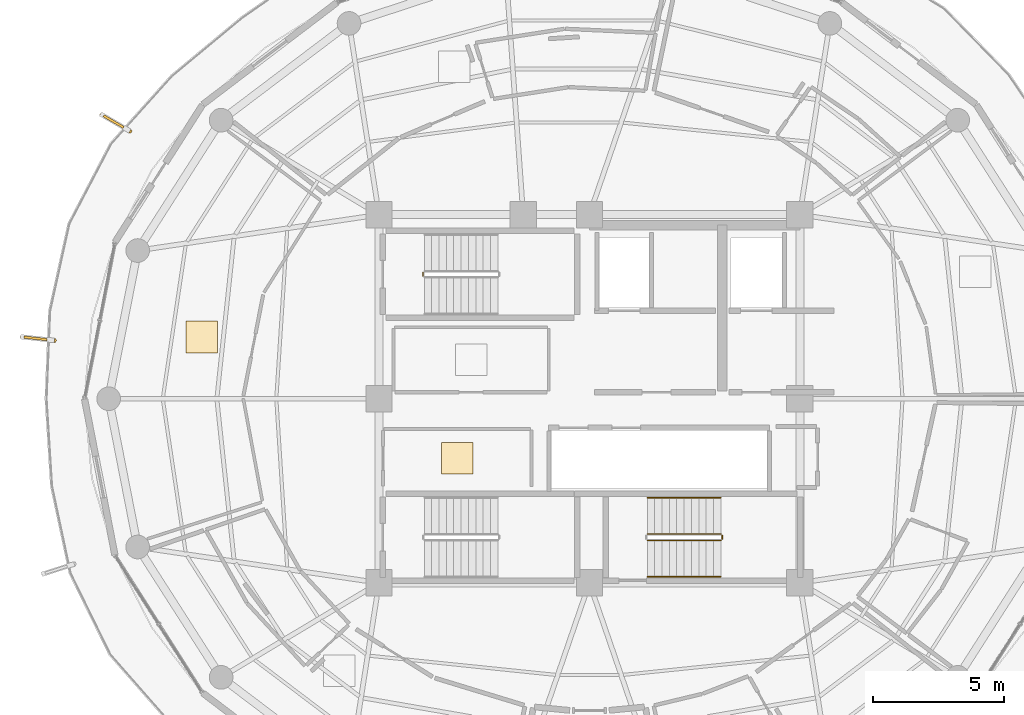
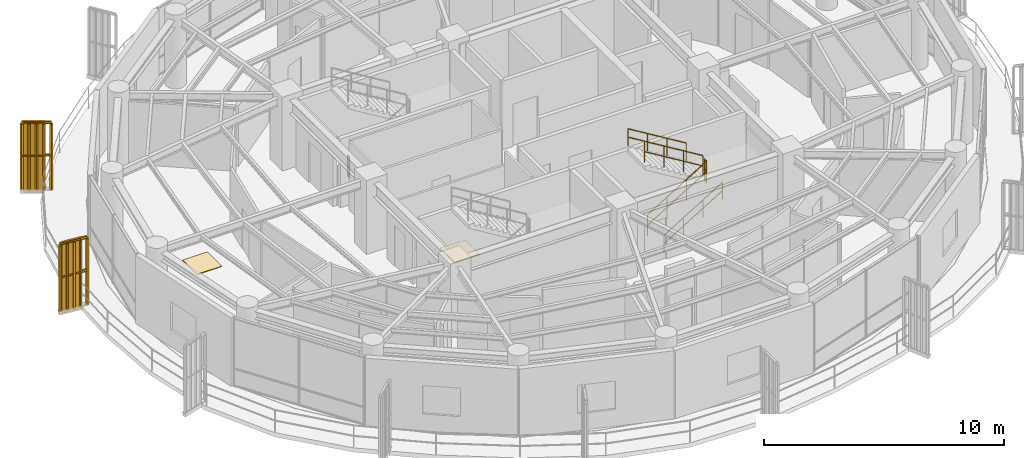
# One storey, part 20 of 22: 8 railings, 2 coverings, 2 shading devices.
"""IFC4 building model written with IfcOpenShell, lengths in metres."""

from ifc_helpers import new_model, si_unit, direction, frame, origin, origin_2d, place, context, subcontext, project, spatial, polyline, rectangle, outline, extrude, source, transform, mapped, material, layer, layer_set, type_object, element, save


model = new_model("IFC4")

# Units and contexts
model_context = context("Model", 3, precision=1e-05, world=origin(), true_north=direction((0.0, 1.0)))
body_context = subcontext(model_context, "Body", "Model", "MODEL_VIEW")
ifc_project = project(units=[si_unit("LENGTHUNIT", "METRE"), si_unit("AREAUNIT", "SQUARE_METRE"), si_unit("VOLUMEUNIT", "CUBIC_METRE"), si_unit("PLANEANGLEUNIT", "RADIAN"), si_unit("MASSUNIT", "GRAM", prefix="KILO")], contexts=[model_context])

# Site, building, storey
site_placement = place(None, origin())
site = spatial("IfcSite", under=ifc_project, at=site_placement, CompositionType="ELEMENT")
building_placement = place(site_placement, origin())
building = spatial("IfcBuilding", under=site, at=building_placement, Name="Kelanora Arch Commons", CompositionType="ELEMENT")
storey_placement = place(building_placement, frame((0.0, 0.0, 274.949951171875)))
storey = spatial("IfcBuildingStorey", under=building, at=storey_placement, Name="L70", CompositionType="ELEMENT", Elevation=274.949951171875)

# Railings
ifc_material_1 = material(Name="Anodised bronze vertical shading fin rib assembly")
railing_type_1 = type_object("IfcRailingType", Name="RAIL-FIN-BRZ", PredefinedType="BALUSTRADE", material=ifc_material_1)
railing_1_placement = place(storey_placement, frame((56.52587890625, 68.1796875, -0.02001953125)))
element("IfcRailing", 1, at=railing_1_placement, inside=storey, type_object=railing_type_1, Name="Sweeping Bronze Vertical Fin Blade L70-07", PredefinedType="BALUSTRADE", context=body_context, shape_type="SweptSolid", body=[
    extrude(outline(polyline([(0.06982421875, 0.0), (0.034912109375, 0.060546875), (-0.034912109375, 0.060546875), (-0.06982421875, 0.0), (-0.034912109375, -0.060546875), (0.034912109375, -0.060546875), (0.06982421875, 0.0)])), frame((0.0, 0.0, 3.419921875), z_axis=(-0.864123108485, 0.503280491755, 0.0), x_axis=(-0.503280491755, -0.864123108485, 0.0)), (0.0, 0.0, 1.0), 1.234130859375),
    extrude(outline(polyline([(0.06982421875, 0.0), (0.034912109375, 0.060546875), (-0.034912109375, 0.060546875), (-0.06982421875, 0.0), (-0.034912109375, -0.060546875), (0.034912109375, -0.060546875), (0.06982421875, 0.0)])), frame((0.0, 0.0, 1.7451171875), z_axis=(-0.864123108485, 0.503280491755, 0.0), x_axis=(-0.503280491755, -0.864123108485, 0.0)), (0.0, 0.0, 1.0), 1.234130859375),
    extrude(outline(polyline([(0.080078125, 0.0), (0.0400390625, 0.0693359375), (-0.0400390625, 0.0693359375), (-0.080078125, 0.0), (-0.0400390625, -0.0693359375), (0.0400390625, -0.0693359375), (0.080078125, 0.0)])), origin(), (0.0, 0.0, 1.0), 3.35009765625),
    extrude(outline(polyline([(0.080078125, 0.0), (0.0400390625, 0.0693359375), (-0.0400390625, 0.0693359375), (-0.080078125, 0.0), (-0.0400390625, -0.0693359375), (0.0400390625, -0.0693359375), (0.080078125, 0.0)])), frame((-0.2666015625, 0.1552734375, 0.0)), (0.0, 0.0, 1.0), 3.35009765625),
    extrude(outline(polyline([(0.080078125, 0.0), (0.0400390625, 0.0693359375), (-0.0400390625, 0.0693359375), (-0.080078125, 0.0), (-0.0400390625, -0.0693359375), (0.0400390625, -0.0693359375), (0.080078125, 0.0)])), frame((-0.533203125, 0.310546875, 0.0)), (0.0, 0.0, 1.0), 3.35009765625),
    extrude(outline(polyline([(0.080078125, 0.0), (0.0400390625, 0.0693359375), (-0.0400390625, 0.0693359375), (-0.080078125, 0.0), (-0.0400390625, -0.0693359375), (0.0400390625, -0.0693359375), (0.080078125, 0.0)])), frame((-0.7998046875, 0.4658203125, 0.0)), (0.0, 0.0, 1.0), 3.35009765625),
    extrude(outline(polyline([(0.080078125, 0.0), (0.0400390625, 0.0693359375), (-0.0400390625, 0.0693359375), (-0.080078125, 0.0), (-0.0400390625, -0.0693359375), (0.0400390625, -0.0693359375), (0.080078125, 0.0)])), frame((-1.06640625, 0.62109375, 0.0)), (0.0, 0.0, 1.0), 3.35009765625),
])
railing_2_placement = place(storey_placement, frame((53.65478515625, 60.218505859375, -0.02001953125)))
element("IfcRailing", 2, at=railing_2_placement, inside=storey, type_object=railing_type_1, Name="Sweeping Bronze Vertical Fin Blade L70-08", PredefinedType="BALUSTRADE", context=body_context, shape_type="SweptSolid", body=[
    extrude(outline(polyline([(0.06982421875, 0.0), (0.034912109375, 0.060546875), (-0.034912109375, 0.060546875), (-0.06982421875, 0.0), (-0.034912109375, -0.060546875), (0.034912109375, -0.060546875), (0.06982421875, 0.0)])), frame((0.0, 0.0, 3.419921875), z_axis=(-0.994106053765, 0.108411963674, 0.0), x_axis=(-0.108411963674, -0.994106053765, 0.0)), (0.0, 0.0, 1.0), 1.234130859375),
    extrude(outline(polyline([(0.06982421875, 0.0), (0.034912109375, 0.060546875), (-0.034912109375, 0.060546875), (-0.06982421875, 0.0), (-0.034912109375, -0.060546875), (0.034912109375, -0.060546875), (0.06982421875, 0.0)])), frame((0.0, 0.0, 1.7451171875), z_axis=(-0.994106053765, 0.108411963674, 0.0), x_axis=(-0.108411963674, -0.994106053765, 0.0)), (0.0, 0.0, 1.0), 1.234130859375),
    extrude(outline(polyline([(0.080078125, 0.0), (0.0400390625, 0.0693359375), (-0.0400390625, 0.0693359375), (-0.080078125, 0.0), (-0.0400390625, -0.0693359375), (0.0400390625, -0.0693359375), (0.080078125, 0.0)])), origin(), (0.0, 0.0, 1.0), 3.35009765625),
    extrude(outline(polyline([(0.080078125, 0.0), (0.0400390625, 0.0693359375), (-0.0400390625, 0.0693359375), (-0.080078125, 0.0), (-0.0400390625, -0.0693359375), (0.0400390625, -0.0693359375), (0.080078125, 0.0)])), frame((-0.306640625, 0.033447265625, 0.0)), (0.0, 0.0, 1.0), 3.35009765625),
    extrude(outline(polyline([(0.080078125, 0.0), (0.0400390625, 0.0693359375), (-0.0400390625, 0.0693359375), (-0.080078125, 0.0), (-0.0400390625, -0.0693359375), (0.0400390625, -0.0693359375), (0.080078125, 0.0)])), frame((-0.61328125, 0.06689453125, 0.0)), (0.0, 0.0, 1.0), 3.35009765625),
    extrude(outline(polyline([(0.080078125, 0.0), (0.0400390625, 0.0693359375), (-0.0400390625, 0.0693359375), (-0.080078125, 0.0), (-0.0400390625, -0.0693359375), (0.0400390625, -0.0693359375), (0.080078125, 0.0)])), frame((-0.920166015625, 0.100341796875, 0.0)), (0.0, 0.0, 1.0), 3.35009765625),
    extrude(outline(polyline([(0.080078125, 0.0), (0.0400390625, 0.0693359375), (-0.0400390625, 0.0693359375), (-0.080078125, 0.0), (-0.0400390625, -0.0693359375), (0.0400390625, -0.0693359375), (0.080078125, 0.0)])), frame((-1.226806640625, 0.1337890625, 0.0)), (0.0, 0.0, 1.0), 3.35009765625),
])
ifc_material_2 = material(Name="Painted steel stair well guard", Category="steel")
railing_type_2 = type_object("IfcRailingType", Name="RAIL-STAIR-GRD", PredefinedType="GUARDRAIL", material=ifc_material_2)
railing_3_placement = place(storey_placement, frame((67.669921875, 62.659912109375, 0.0)))
element("IfcRailing", 3, at=railing_3_placement, inside=storey, type_object=railing_type_2, Name="L70 ST-T1 stair guard 4", PredefinedType="GUARDRAIL", context=body_context, shape_type="SweptSolid", body=[
    extrude(outline(polyline([(0.02392578125, 0.0), (0.011962890625, 0.020751953125), (-0.011962890625, 0.020751953125), (-0.02392578125, 0.0), (-0.011962890625, -0.020751953125), (0.011962890625, -0.020751953125), (0.02392578125, 0.0)])), frame((0.0, 0.0, 1.076171875), z_axis=(0.0, 1.0, 0.0), x_axis=(-1.0, 0.0, 0.0)), (0.0, 0.0, 1.0), 0.150146484375),
    extrude(outline(polyline([(0.02392578125, 0.0), (0.011962890625, 0.020751953125), (-0.011962890625, 0.020751953125), (-0.02392578125, 0.0), (-0.011962890625, -0.020751953125), (0.011962890625, -0.020751953125), (0.02392578125, 0.0)])), frame((0.0, 0.0, 0.550048828125), z_axis=(0.0, 1.0, 0.0), x_axis=(-1.0, 0.0, 0.0)), (0.0, 0.0, 1.0), 0.150146484375),
    extrude(outline(polyline([(0.02099609375, 0.0), (0.010498046875, 0.01806640625), (-0.010498046875, 0.01806640625), (-0.02099609375, 0.0), (-0.010498046875, -0.01806640625), (0.010498046875, -0.01806640625), (0.02099609375, 0.0)])), origin(), (0.0, 0.0, 1.0), 1.052001953125),
    extrude(outline(polyline([(0.02099609375, 0.0), (0.010498046875, 0.01806640625), (-0.010498046875, 0.01806640625), (-0.02099609375, 0.0), (-0.010498046875, -0.01806640625), (0.010498046875, -0.01806640625), (0.02099609375, 0.0)])), frame((0.0, 0.150146484375, 0.0)), (0.0, 0.0, 1.0), 1.052001953125),
])
railing_4_placement = place(storey_placement, frame((76.199951171875, 52.610107421875, 0.17041015625)))
element("IfcRailing", 4, at=railing_4_placement, inside=storey, type_object=railing_type_2, Name="L70 ST-T2 stair guard 1", PredefinedType="GUARDRAIL", context=body_context, shape_type="SweptSolid", body=[
    extrude(outline(polyline([(0.02392578125, 0.0), (0.011962890625, 0.020751953125), (-0.011962890625, 0.020751953125), (-0.02392578125, 0.0), (-0.011962890625, -0.020751953125), (0.011962890625, -0.020751953125), (0.02392578125, 0.0)])), frame((0.0, 0.0, 1.076171875), z_axis=(0.854169791009, 0.0, 0.51999420009), x_axis=(0.0, 1.0, 0.0)), (0.0, 0.0, 1.0), 3.278076171875),
    extrude(outline(polyline([(0.02392578125, 0.0), (0.011962890625, 0.020751953125), (-0.011962890625, 0.020751953125), (-0.02392578125, 0.0), (-0.011962890625, -0.020751953125), (0.011962890625, -0.020751953125), (0.02392578125, 0.0)])), frame((0.0, 0.0, 0.550048828125), z_axis=(0.854169791009, 0.0, 0.51999420009), x_axis=(0.0, 1.0, 0.0)), (0.0, 0.0, 1.0), 3.278076171875),
    extrude(outline(polyline([(0.02099609375, 0.0), (0.010498046875, 0.01806640625), (-0.010498046875, 0.01806640625), (-0.02099609375, 0.0), (-0.010498046875, -0.01806640625), (0.010498046875, -0.01806640625), (0.02099609375, 0.0)])), origin(), (0.0, 0.0, 1.0), 1.052001953125),
    extrude(outline(polyline([(0.02099609375, 0.0), (0.010498046875, 0.01806640625), (-0.010498046875, 0.01806640625), (-0.02099609375, 0.0), (-0.010498046875, -0.01806640625), (0.010498046875, -0.01806640625), (0.02099609375, 0.0)])), frame((0.933349609375, 0.0, 0.568115234375)), (0.0, 0.0, 1.0), 1.052001953125),
    extrude(outline(polyline([(0.02099609375, 0.0), (0.010498046875, 0.01806640625), (-0.010498046875, 0.01806640625), (-0.02099609375, 0.0), (-0.010498046875, -0.01806640625), (0.010498046875, -0.01806640625), (0.02099609375, 0.0)])), frame((1.86669921875, 0.0, 1.136474609375)), (0.0, 0.0, 1.0), 1.052001953125),
    extrude(outline(polyline([(0.02099609375, 0.0), (0.010498046875, 0.01806640625), (-0.010498046875, 0.01806640625), (-0.02099609375, 0.0), (-0.010498046875, -0.01806640625), (0.010498046875, -0.01806640625), (0.02099609375, 0.0)])), frame((2.800048828125, 0.0, 1.70458984375)), (0.0, 0.0, 1.0), 1.052001953125),
])
railing_5_placement = place(storey_placement, frame((79.050048828125, 52.659912109375, 1.875)))
element("IfcRailing", 5, at=railing_5_placement, inside=storey, type_object=railing_type_2, Name="L70 ST-T2 stair guard 2", PredefinedType="GUARDRAIL", context=body_context, shape_type="SweptSolid", body=[
    extrude(outline(polyline([(0.02392578125, 0.0), (0.011962890625, 0.020751953125), (-0.011962890625, 0.020751953125), (-0.02392578125, 0.0), (-0.011962890625, -0.020751953125), (0.011962890625, -0.020751953125), (0.02392578125, 0.0)])), frame((0.0, 0.0, 1.076171875), z_axis=(0.0, 1.0, 0.0), x_axis=(-1.0, 0.0, 0.0)), (0.0, 0.0, 1.0), 0.150146484375),
    extrude(outline(polyline([(0.02392578125, 0.0), (0.011962890625, 0.020751953125), (-0.011962890625, 0.020751953125), (-0.02392578125, 0.0), (-0.011962890625, -0.020751953125), (0.011962890625, -0.020751953125), (0.02392578125, 0.0)])), frame((0.0, 0.0, 0.550048828125), z_axis=(0.0, 1.0, 0.0), x_axis=(-1.0, 0.0, 0.0)), (0.0, 0.0, 1.0), 0.150146484375),
    extrude(outline(polyline([(0.02099609375, 0.0), (0.010498046875, 0.01806640625), (-0.010498046875, 0.01806640625), (-0.02099609375, 0.0), (-0.010498046875, -0.01806640625), (0.010498046875, -0.01806640625), (0.02099609375, 0.0)])), origin(), (0.0, 0.0, 1.0), 1.052001953125),
    extrude(outline(polyline([(0.02099609375, 0.0), (0.010498046875, 0.01806640625), (-0.010498046875, 0.01806640625), (-0.02099609375, 0.0), (-0.010498046875, -0.01806640625), (0.010498046875, -0.01806640625), (0.02099609375, 0.0)])), frame((0.0, 0.150146484375, 0.0)), (0.0, 0.0, 1.0), 1.052001953125),
])
railing_6_placement = place(storey_placement, frame((79.0, 52.860107421875, 2.04541015625)))
element("IfcRailing", 6, at=railing_6_placement, inside=storey, type_object=railing_type_2, Name="L70 ST-T2 stair guard 3", PredefinedType="GUARDRAIL", context=body_context, shape_type="SweptSolid", body=[
    extrude(outline(polyline([(0.02392578125, 0.0), (0.011962890625, 0.020751953125), (-0.011962890625, 0.020751953125), (-0.02392578125, 0.0), (-0.011962890625, -0.020751953125), (0.011962890625, -0.020751953125), (0.02392578125, 0.0)])), frame((0.0, 0.0, 1.076171875), z_axis=(-0.854169791009, 0.0, 0.51999420009), x_axis=(0.0, -1.0, 0.0)), (0.0, 0.0, 1.0), 3.278076171875),
    extrude(outline(polyline([(0.02392578125, 0.0), (0.011962890625, 0.020751953125), (-0.011962890625, 0.020751953125), (-0.02392578125, 0.0), (-0.011962890625, -0.020751953125), (0.011962890625, -0.020751953125), (0.02392578125, 0.0)])), frame((0.0, 0.0, 0.550048828125), z_axis=(-0.854169791009, 0.0, 0.51999420009), x_axis=(0.0, -1.0, 0.0)), (0.0, 0.0, 1.0), 3.278076171875),
    extrude(outline(polyline([(0.02099609375, 0.0), (0.010498046875, 0.01806640625), (-0.010498046875, 0.01806640625), (-0.02099609375, 0.0), (-0.010498046875, -0.01806640625), (0.010498046875, -0.01806640625), (0.02099609375, 0.0)])), origin(), (0.0, 0.0, 1.0), 1.052001953125),
    extrude(outline(polyline([(0.02099609375, 0.0), (0.010498046875, 0.01806640625), (-0.010498046875, 0.01806640625), (-0.02099609375, 0.0), (-0.010498046875, -0.01806640625), (0.010498046875, -0.01806640625), (0.02099609375, 0.0)])), frame((-0.933349609375, 0.0, 0.568115234375)), (0.0, 0.0, 1.0), 1.052001953125),
    extrude(outline(polyline([(0.02099609375, 0.0), (0.010498046875, 0.01806640625), (-0.010498046875, 0.01806640625), (-0.02099609375, 0.0), (-0.010498046875, -0.01806640625), (0.010498046875, -0.01806640625), (0.02099609375, 0.0)])), frame((-1.86669921875, 0.0, 1.136474609375)), (0.0, 0.0, 1.0), 1.052001953125),
    extrude(outline(polyline([(0.02099609375, 0.0), (0.010498046875, 0.01806640625), (-0.010498046875, 0.01806640625), (-0.02099609375, 0.0), (-0.010498046875, -0.01806640625), (0.010498046875, -0.01806640625), (0.02099609375, 0.0)])), frame((-2.800048828125, 0.0, 1.70458984375)), (0.0, 0.0, 1.0), 1.052001953125),
])
ifc_material_3 = material(Name="Brushed stainless steel stair handrail", Category="steel")
railing_type_3 = type_object("IfcRailingType", Name="RAIL-STAIR-HND", PredefinedType="HANDRAIL", material=ifc_material_3)
railing_7_placement = place(storey_placement, frame((76.199951171875, 51.22998046875, 0.17041015625)))
element("IfcRailing", 7, at=railing_7_placement, inside=storey, type_object=railing_type_3, Name="L70 ST-T2 stair handrail 1", PredefinedType="HANDRAIL", context=body_context, shape_type="SweptSolid", body=[
    extrude(outline(polyline([(0.02392578125, 0.0), (0.011962890625, 0.020751953125), (-0.011962890625, 0.020751953125), (-0.02392578125, 0.0), (-0.011962890625, -0.020751953125), (0.011962890625, -0.020751953125), (0.02392578125, 0.0)])), frame((0.0, 0.0, 0.8759765625), z_axis=(0.854169791009, 0.0, 0.51999420009), x_axis=(0.0, 1.0, 0.0)), (0.0, 0.0, 1.0), 3.278076171875),
    extrude(outline(polyline([(0.02392578125, 0.0), (0.011962890625, 0.020751953125), (-0.011962890625, 0.020751953125), (-0.02392578125, 0.0), (-0.011962890625, -0.020751953125), (0.011962890625, -0.020751953125), (0.02392578125, 0.0)])), frame((0.0, 0.0, 0.449951171875), z_axis=(0.854169791009, 0.0, 0.51999420009), x_axis=(0.0, 1.0, 0.0)), (0.0, 0.0, 1.0), 3.278076171875),
    extrude(outline(polyline([(0.02099609375, 0.0), (0.010498046875, 0.01806640625), (-0.010498046875, 0.01806640625), (-0.02099609375, 0.0), (-0.010498046875, -0.01806640625), (0.010498046875, -0.01806640625), (0.02099609375, 0.0)])), origin(), (0.0, 0.0, 1.0), 0.851806640625),
    extrude(outline(polyline([(0.02099609375, 0.0), (0.010498046875, 0.01806640625), (-0.010498046875, 0.01806640625), (-0.02099609375, 0.0), (-0.010498046875, -0.01806640625), (0.010498046875, -0.01806640625), (0.02099609375, 0.0)])), frame((0.933349609375, 0.0, 0.568115234375)), (0.0, 0.0, 1.0), 0.851806640625),
    extrude(outline(polyline([(0.02099609375, 0.0), (0.010498046875, 0.01806640625), (-0.010498046875, 0.01806640625), (-0.02099609375, 0.0), (-0.010498046875, -0.01806640625), (0.010498046875, -0.01806640625), (0.02099609375, 0.0)])), frame((1.86669921875, 0.0, 1.136474609375)), (0.0, 0.0, 1.0), 0.851806640625),
    extrude(outline(polyline([(0.02099609375, 0.0), (0.010498046875, 0.01806640625), (-0.010498046875, 0.01806640625), (-0.02099609375, 0.0), (-0.010498046875, -0.01806640625), (0.010498046875, -0.01806640625), (0.02099609375, 0.0)])), frame((2.800048828125, 0.0, 1.70458984375)), (0.0, 0.0, 1.0), 0.851806640625),
])
railing_8_placement = place(storey_placement, frame((79.0, 54.239990234375, 2.04541015625)))
element("IfcRailing", 8, at=railing_8_placement, inside=storey, type_object=railing_type_3, Name="L70 ST-T2 stair handrail 2", PredefinedType="HANDRAIL", context=body_context, shape_type="SweptSolid", body=[
    extrude(outline(polyline([(0.02392578125, 0.0), (0.011962890625, 0.020751953125), (-0.011962890625, 0.020751953125), (-0.02392578125, 0.0), (-0.011962890625, -0.020751953125), (0.011962890625, -0.020751953125), (0.02392578125, 0.0)])), frame((0.0, 0.0, 0.8759765625), z_axis=(-0.854169791009, 0.0, 0.51999420009), x_axis=(0.0, -1.0, 0.0)), (0.0, 0.0, 1.0), 3.278076171875),
    extrude(outline(polyline([(0.02392578125, 0.0), (0.011962890625, 0.020751953125), (-0.011962890625, 0.020751953125), (-0.02392578125, 0.0), (-0.011962890625, -0.020751953125), (0.011962890625, -0.020751953125), (0.02392578125, 0.0)])), frame((0.0, 0.0, 0.449951171875), z_axis=(-0.854169791009, 0.0, 0.51999420009), x_axis=(0.0, -1.0, 0.0)), (0.0, 0.0, 1.0), 3.278076171875),
    extrude(outline(polyline([(0.02099609375, 0.0), (0.010498046875, 0.01806640625), (-0.010498046875, 0.01806640625), (-0.02099609375, 0.0), (-0.010498046875, -0.01806640625), (0.010498046875, -0.01806640625), (0.02099609375, 0.0)])), origin(), (0.0, 0.0, 1.0), 0.851806640625),
    extrude(outline(polyline([(0.02099609375, 0.0), (0.010498046875, 0.01806640625), (-0.010498046875, 0.01806640625), (-0.02099609375, 0.0), (-0.010498046875, -0.01806640625), (0.010498046875, -0.01806640625), (0.02099609375, 0.0)])), frame((-0.933349609375, 0.0, 0.568115234375)), (0.0, 0.0, 1.0), 0.851806640625),
    extrude(outline(polyline([(0.02099609375, 0.0), (0.010498046875, 0.01806640625), (-0.010498046875, 0.01806640625), (-0.02099609375, 0.0), (-0.010498046875, -0.01806640625), (0.010498046875, -0.01806640625), (0.02099609375, 0.0)])), frame((-1.86669921875, 0.0, 1.136474609375)), (0.0, 0.0, 1.0), 0.851806640625),
    extrude(outline(polyline([(0.02099609375, 0.0), (0.010498046875, 0.01806640625), (-0.010498046875, 0.01806640625), (-0.02099609375, 0.0), (-0.010498046875, -0.01806640625), (0.010498046875, -0.01806640625), (0.02099609375, 0.0)])), frame((-2.800048828125, 0.0, 1.70458984375)), (0.0, 0.0, 1.0), 0.851806640625),
])

# Shading devices
ifc_material_4 = material(Name="Terracotta ceramic-clad extruded aluminium fin", Category="masonry")
shading_device_type = type_object("IfcShadingDeviceType", Name="SHD-FIN-FLARE", PredefinedType="USERDEFINED", material=ifc_material_4)
shared_shape_1 = source(origin(), body_context, "Body", "SweptSolid", [
    extrude(rectangle(XDim=0.8798828125, YDim=0.090087890625, at=origin_2d()), origin(), (0.0, 0.0, 1.0), 3.610107421875),
])
for number, where, z_axis, x_axis, name in (
    (9, (55.90380859375, 68.5419921875, -0.14013671875), (0.0, 0.0, 1.0), (-0.864099162217, 0.503321604797, 0.0), "Sweeping Terracotta Fin L70-07"),
    (10, (52.939208984375, 60.29638671875, -0.14013671875), (0.0, 0.0, 1.0), (-0.994113204519, 0.108346373271, 0.0), "Sweeping Terracotta Fin L70-08"),
):
    element("IfcShadingDevice", number, at=place(storey_placement, frame(where, z_axis=z_axis, x_axis=x_axis)), inside=storey, type_object=shading_device_type, Name=name, ObjectType="FIN", PredefinedType="USERDEFINED", context=body_context, shape_type="MappedRepresentation", body=[
        mapped(shared_shape_1, transform((0.0, 0.0, 0.0), scale=1.0)),
    ])

# Coverings
ifc_material_5 = material(Name="Polished local granite terrazzo flooring", Category="masonry")
ifc_layer = layer(ifc_material_5, 0.030029296875)
ifc_layer_set = layer_set([ifc_layer], Name="Polished local granite terrazzo flooring")
covering_type = type_object("IfcCoveringType", Name="COV-FLR-TER", PredefinedType="FLOORING", material=ifc_layer_set)
shared_shape_2 = source(origin(), body_context, "Body", "SweptSolid", [
    extrude(rectangle(XDim=1.199951171875, YDim=1.199951171875, at=origin_2d()), origin(), (0.0, 0.0, 1.0), 0.030029296875),
])
for number, where, z_axis, x_axis, name in (
    (11, (68.97509765625, 55.735107421875, 0.0), (0.0, 0.0, 1.0), (1.0, 0.0, 0.0), "Reclaimed Core High-Zone Pantry and Copy Room L70 Terrazzo Finish"),
    (12, (59.260009765625, 60.348876953125, 0.0), (0.0, 0.0, 1.0), (1.0, 0.0, 0.0), "Quiet Seminar Study Room L70-06 Terrazzo Finish"),
):
    element("IfcCovering", number, at=place(storey_placement, frame(where, z_axis=z_axis, x_axis=x_axis)), inside=storey, type_object=covering_type, Name=name, PredefinedType="FLOORING", context=body_context, shape_type="MappedRepresentation", body=[
        mapped(shared_shape_2, transform((0.0, 0.0, 0.0), scale=1.0)),
    ])

save(model, "model.ifc")
